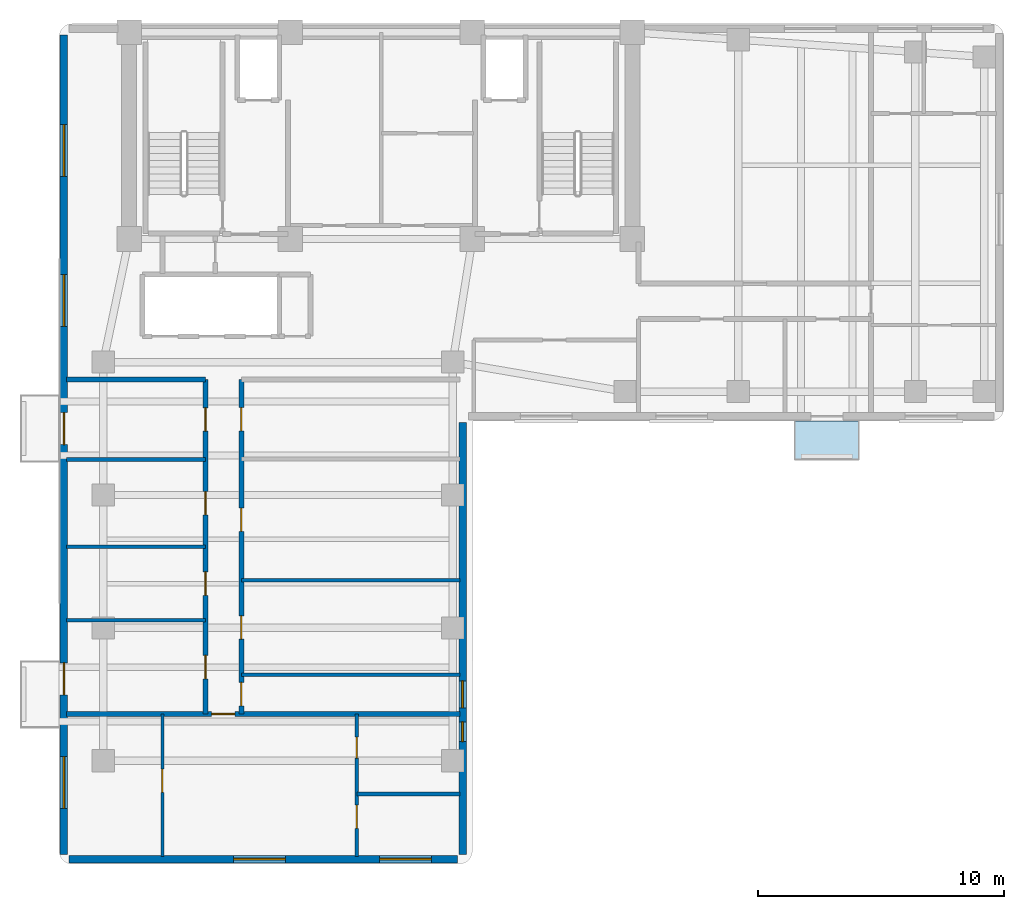
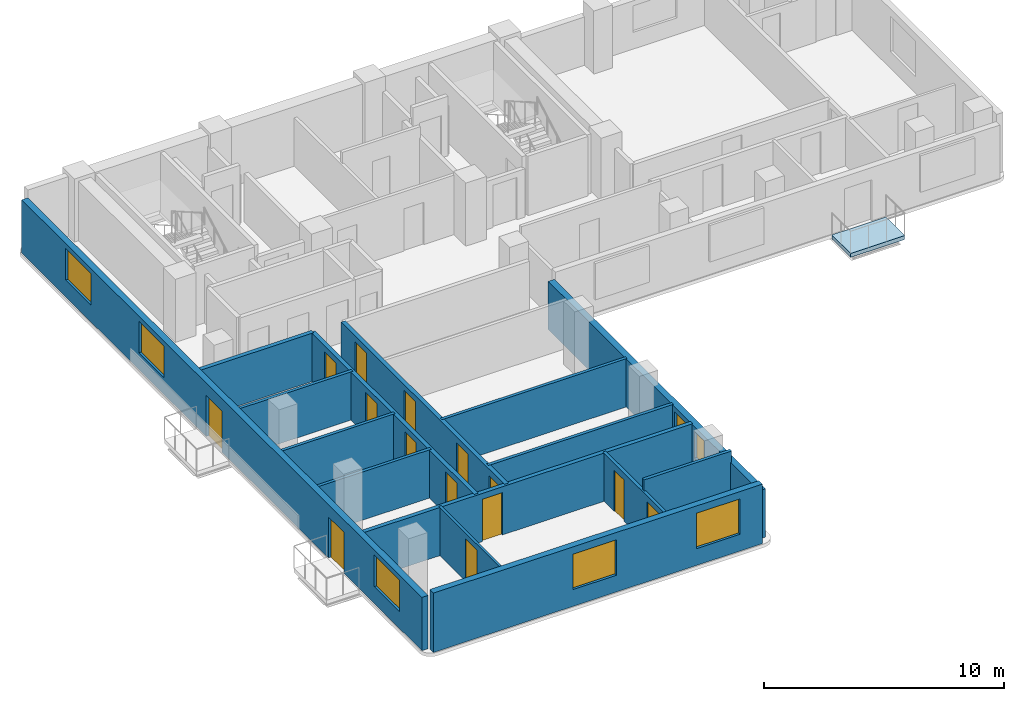
# One storey, part 2 of 6: 15 walls, 14 doors, 7 windows, 1 slab, 21 openings.
"""IFC4 building model written with IfcOpenShell, lengths in metres."""

from ifc_helpers import new_model, si_unit, direction, frame, frame_2d, origin, place, context, subcontext, project, spatial, polyline, rectangle, outline, extrude, material, layer, layer_set, type_object, element, fill, save


model = new_model("IFC4")

# Units and contexts
model_context = context("Model", 3, precision=1e-05, world=origin(), true_north=direction((0.0, 1.0)))
body_context = subcontext(model_context, "Body", "Model", "MODEL_VIEW")
ifc_project = project(units=[si_unit("LENGTHUNIT", "METRE"), si_unit("AREAUNIT", "SQUARE_METRE"), si_unit("VOLUMEUNIT", "CUBIC_METRE"), si_unit("PLANEANGLEUNIT", "RADIAN"), si_unit("MASSUNIT", "GRAM", prefix="KILO")], contexts=[model_context])

# Site, building, storey
site_placement = place(None, origin())
site = spatial("IfcSite", under=ifc_project, at=site_placement, CompositionType="ELEMENT")
building_placement = place(site_placement, origin())
building = spatial("IfcBuilding", under=site, at=building_placement, Name="Kuzgunbayir Cultural Tower", CompositionType="ELEMENT")
storey_placement = place(building_placement, frame((0.0, 0.0, 169.60009765625)))
storey = spatial("IfcBuildingStorey", under=building, at=storey_placement, Name="L49", CompositionType="ELEMENT", Elevation=169.60009765625)

# Slab
ifc_material_1 = material(Name="Concrete C40/50", Category="concrete")
ifc_layer_1 = layer(ifc_material_1, 0.199951171875)
ifc_layer_set_1 = layer_set([ifc_layer_1], Name="Concrete C40/50")
slab_type = type_object("IfcSlabType", Name="SLB-BAL-STONE", PredefinedType="FLOOR", material=ifc_layer_set_1)
slab_placement = place(storey_placement, frame((0.0, 0.0, -0.2001953125)))
element("IfcSlab", 1, at=slab_placement, inside=storey, type_object=slab_type, Name="L49 Projecting Limestone Balcony BAL-L49-WB2", PredefinedType="FLOOR", context=body_context, shape_type="SweptSolid", body=[
    extrude(outline(polyline([(33.5, 24.840087890625), (36.10009765625, 24.840087890625), (36.10009765625, 26.39990234375), (33.5, 26.39990234375), (33.5, 24.840087890625)])), origin(), (0.0, 0.0, 1.0), 0.2001953125),
])

# Wall, openings, windows
ifc_material_2 = material(Name="Anatolian Cream Limestone", Category="masonry")
ifc_layer_2 = layer(ifc_material_2, 0.300048828125)
ifc_layer_set_2 = layer_set([ifc_layer_2], Name="Anatolian Cream Limestone")
wall_type_1 = type_object("IfcWallType", Name="WAL-EXT-STONE-300", PredefinedType="STANDARD", material=ifc_layer_set_2)
wall_1_placement = place(storey_placement, frame((4.0, 8.60009765625, 0.0), z_axis=(0.0, 0.0, 1.0), x_axis=(1.0, 0.0, 0.0)))
wall_1 = element("IfcWall", 2, at=wall_1_placement, inside=storey, type_object=wall_type_1, Name="L49 Wing A South Limestone Wall", PredefinedType="STANDARD", context=body_context, shape_type="SweptSolid", body=[
    extrude(rectangle(XDim=15.800048828125, YDim=0.300048828125, at=frame_2d((7.89990234375, 0.0))), origin(), (0.0, 0.0, 1.0), 3.02001953125),
])
opening_1_placement = place(wall_1_placement, frame((6.699951171875, 0.0, 0.85009765625)))
opening_1 = element("IfcOpeningElement", 3, at=opening_1_placement, cuts=wall_1, Name="Opening WR-21", PredefinedType="OPENING", context=body_context, shape_type="SweptSolid", body=[
    extrude(rectangle(XDim=2.10009765625, YDim=1.800048828125, at=frame_2d((1.050048828125, 0.89990234375))), frame((0.0, 0.16015625, 0.0), z_axis=(0.0, -1.0, 0.0), x_axis=(1.0, 0.0, 0.0)), (0.0, 0.0, 1.0), 0.320068359375),
])
opening_2_placement = place(wall_1_placement, frame((12.6298828125, 0.0, 0.85009765625)))
opening_2 = element("IfcOpeningElement", 4, at=opening_2_placement, cuts=wall_1, Name="Opening WR-21", PredefinedType="OPENING", context=body_context, shape_type="SweptSolid", body=[
    extrude(rectangle(XDim=2.10009765625, YDim=1.800048828125, at=frame_2d((1.050048828125, 0.89990234375))), frame((0.0, 0.16015625, 0.0), z_axis=(0.0, -1.0, 0.0), x_axis=(1.0, 0.0, 0.0)), (0.0, 0.0, 1.0), 0.320068359375),
])
ifc_material_3 = material(Name="Solar-Control Triple Glazing", Category="glass")
window_type_1 = type_object("IfcWindowType", Name="WIN-RESID-21", PartitioningType="SINGLE_PANEL", PredefinedType="WINDOW", material=ifc_material_3)
window_1_placement = place(opening_1_placement, origin())
window_1 = element("IfcWindow", 5, at=window_1_placement, inside=storey, type_object=window_type_1, Name="L49 WAS Facade Window 2", OverallHeight=1.800048828125, OverallWidth=2.10009765625, PartitioningType="SINGLE_PANEL", PredefinedType="WINDOW", context=body_context, shape_type="SweptSolid", body=[
    extrude(rectangle(XDim=2.10009765625, YDim=1.800048828125, at=frame_2d((1.050048828125, 0.89990234375))), frame((0.0, 0.030029296875, 0.0), z_axis=(0.0, -1.0, 0.0), x_axis=(1.0, 0.0, 0.0)), (0.0, 0.0, 1.0), 0.06005859375),
])
fill(opening_1, window_1)
window_2_placement = place(opening_2_placement, origin())
window_2 = element("IfcWindow", 6, at=window_2_placement, inside=storey, type_object=window_type_1, Name="L49 WAS Facade Window 3", OverallHeight=1.800048828125, OverallWidth=2.10009765625, PartitioningType="SINGLE_PANEL", PredefinedType="WINDOW", context=body_context, shape_type="SweptSolid", body=[
    extrude(rectangle(XDim=2.10009765625, YDim=1.800048828125, at=frame_2d((1.050048828125, 0.89990234375))), frame((0.0, 0.030029296875, 0.0), z_axis=(0.0, -1.0, 0.0), x_axis=(1.0, 0.0, 0.0)), (0.0, 0.0, 1.0), 0.06005859375),
])
fill(opening_2, window_2)

# Wall, openings, doors, windows
wall_2_placement = place(storey_placement, frame((3.800048828125, 42.10009765625, 0.0), z_axis=(0.0, 0.0, 1.0), x_axis=(0.0, -1.0, 0.0)))
wall_2 = element("IfcWall", 7, at=wall_2_placement, inside=storey, type_object=wall_type_1, Name="L49 Wing A West Limestone Wall", PredefinedType="STANDARD", context=body_context, shape_type="SweptSolid", body=[
    extrude(rectangle(XDim=33.300048828125, YDim=0.300048828125, at=frame_2d((16.64990234375, 0.0))), origin(), (0.0, 0.0, 1.0), 2.7099609375),
])
opening_3_placement = place(wall_2_placement, frame((25.52001953125, 0.0, 0.0)))
opening_3 = element("IfcOpeningElement", 8, at=opening_3_placement, cuts=wall_2, Name="Opening BD-13", PredefinedType="OPENING", context=body_context, shape_type="SweptSolid", body=[
    extrude(rectangle(XDim=1.300048828125, YDim=2.080078125, at=frame_2d((0.64990234375, 1.0400390625))), frame((0.0, 0.16015625, 0.0), z_axis=(0.0, -1.0, 0.0), x_axis=(1.0, 0.0, 0.0)), (0.0, 0.0, 1.0), 0.320068359375),
])
opening_4_placement = place(wall_2_placement, frame((15.35009765625, 0.0, 0.0)))
opening_4 = element("IfcOpeningElement", 9, at=opening_4_placement, cuts=wall_2, Name="Opening BD-13", PredefinedType="OPENING", context=body_context, shape_type="SweptSolid", body=[
    extrude(rectangle(XDim=1.300048828125, YDim=2.080078125, at=frame_2d((0.64990234375, 1.0400390625))), frame((0.0, 0.16015625, 0.0), z_axis=(0.0, -1.0, 0.0), x_axis=(1.0, 0.0, 0.0)), (0.0, 0.0, 1.0), 0.320068359375),
])
opening_5_placement = place(wall_2_placement, frame((29.330078125, 0.0, 0.85009765625)))
opening_5 = element("IfcOpeningElement", 10, at=opening_5_placement, cuts=wall_2, Name="Opening WR-21", PredefinedType="OPENING", context=body_context, shape_type="SweptSolid", body=[
    extrude(rectangle(XDim=2.10009765625, YDim=1.610107421875, at=frame_2d((1.050048828125, 0.80517578125))), frame((0.0, 0.16015625, 0.0), z_axis=(0.0, -1.0, 0.0), x_axis=(1.0, 0.0, 0.0)), (0.0, 0.0, 1.0), 0.320068359375),
])
opening_6_placement = place(wall_2_placement, frame((9.75, 0.0, 0.85009765625)))
opening_6 = element("IfcOpeningElement", 11, at=opening_6_placement, cuts=wall_2, Name="Opening WR-21", PredefinedType="OPENING", context=body_context, shape_type="SweptSolid", body=[
    extrude(rectangle(XDim=2.10009765625, YDim=1.610107421875, at=frame_2d((1.050048828125, 0.80517578125))), frame((0.0, 0.16015625, 0.0), z_axis=(0.0, -1.0, 0.0), x_axis=(1.0, 0.0, 0.0)), (0.0, 0.0, 1.0), 0.320068359375),
])
opening_7_placement = place(wall_2_placement, frame((3.64990234375, 0.0, 0.85009765625)))
opening_7 = element("IfcOpeningElement", 12, at=opening_7_placement, cuts=wall_2, Name="Opening WR-21", PredefinedType="OPENING", context=body_context, shape_type="SweptSolid", body=[
    extrude(rectangle(XDim=2.10009765625, YDim=1.610107421875, at=frame_2d((1.050048828125, 0.80517578125))), frame((0.0, 0.16015625, 0.0), z_axis=(0.0, -1.0, 0.0), x_axis=(1.0, 0.0, 0.0)), (0.0, 0.0, 1.0), 0.320068359375),
])
ifc_material_4 = material(Name="Thermally Broken Glazed Aluminium", Category="aluminium")
door_type_1 = type_object("IfcDoorType", Name="DR-BALCONY-135", OperationType="SLIDING_TO_LEFT", PredefinedType="DOOR", material=ifc_material_4)
door_1_placement = place(opening_3_placement, origin())
door_1 = element("IfcDoor", 13, at=door_1_placement, inside=storey, type_object=door_type_1, Name="L49 West Balcony Sliding Door BAL-L49-WA1", OperationType="SLIDING_TO_LEFT", OverallHeight=2.080078125, OverallWidth=1.300048828125, PredefinedType="DOOR", context=body_context, shape_type="SweptSolid", body=[
    extrude(rectangle(XDim=1.300048828125, YDim=2.080078125, at=frame_2d((0.64990234375, 1.0400390625))), frame((0.0, 0.02490234375, 0.0), z_axis=(0.0, -1.0, 0.0), x_axis=(1.0, 0.0, 0.0)), (0.0, 0.0, 1.0), 0.050048828125),
])
fill(opening_3, door_1)
door_2_placement = place(opening_4_placement, origin())
door_2 = element("IfcDoor", 14, at=door_2_placement, inside=storey, type_object=door_type_1, Name="L49 West Balcony Sliding Door BAL-L49-WA3", OperationType="SLIDING_TO_LEFT", OverallHeight=2.080078125, OverallWidth=1.300048828125, PredefinedType="DOOR", context=body_context, shape_type="SweptSolid", body=[
    extrude(rectangle(XDim=1.300048828125, YDim=2.080078125, at=frame_2d((0.64990234375, 1.0400390625))), frame((0.0, 0.02490234375, 0.0), z_axis=(0.0, -1.0, 0.0), x_axis=(1.0, 0.0, 0.0)), (0.0, 0.0, 1.0), 0.050048828125),
])
fill(opening_4, door_2)
window_3_placement = place(opening_5_placement, origin())
window_3 = element("IfcWindow", 15, at=window_3_placement, inside=storey, type_object=window_type_1, Name="L49 WAW Facade Window 1", OverallHeight=1.610107421875, OverallWidth=2.10009765625, PartitioningType="SINGLE_PANEL", PredefinedType="WINDOW", context=body_context, shape_type="SweptSolid", body=[
    extrude(rectangle(XDim=2.10009765625, YDim=1.610107421875, at=frame_2d((1.050048828125, 0.80517578125))), frame((0.0, 0.030029296875, 0.0), z_axis=(0.0, -1.0, 0.0), x_axis=(1.0, 0.0, 0.0)), (0.0, 0.0, 1.0), 0.06005859375),
])
fill(opening_5, window_3)
window_4_placement = place(opening_6_placement, origin())
window_4 = element("IfcWindow", 16, at=window_4_placement, inside=storey, type_object=window_type_1, Name="L49 WAW Facade Window 10", OverallHeight=1.610107421875, OverallWidth=2.10009765625, PartitioningType="SINGLE_PANEL", PredefinedType="WINDOW", context=body_context, shape_type="SweptSolid", body=[
    extrude(rectangle(XDim=2.10009765625, YDim=1.610107421875, at=frame_2d((1.050048828125, 0.80517578125))), frame((0.0, 0.030029296875, 0.0), z_axis=(0.0, -1.0, 0.0), x_axis=(1.0, 0.0, 0.0)), (0.0, 0.0, 1.0), 0.06005859375),
])
fill(opening_6, window_4)
window_5_placement = place(opening_7_placement, origin())
window_5 = element("IfcWindow", 17, at=window_5_placement, inside=storey, type_object=window_type_1, Name="L49 WAW Facade Window 11", OverallHeight=1.610107421875, OverallWidth=2.10009765625, PartitioningType="SINGLE_PANEL", PredefinedType="WINDOW", context=body_context, shape_type="SweptSolid", body=[
    extrude(rectangle(XDim=2.10009765625, YDim=1.610107421875, at=frame_2d((1.050048828125, 0.80517578125))), frame((0.0, 0.030029296875, 0.0), z_axis=(0.0, -1.0, 0.0), x_axis=(1.0, 0.0, 0.0)), (0.0, 0.0, 1.0), 0.06005859375),
])
fill(opening_7, window_5)

# Wall, openings, windows
wall_3_placement = place(storey_placement, frame((20.0, 8.800048828125, 0.0), z_axis=(0.0, 0.0, 1.0), x_axis=(0.0, 1.0, 0.0)))
wall_3 = element("IfcWall", 18, at=wall_3_placement, inside=storey, type_object=wall_type_1, Name="L49 Wing A East Limestone Wall", PredefinedType="STANDARD", context=body_context, shape_type="SweptSolid", body=[
    extrude(rectangle(XDim=17.550048828125, YDim=0.300048828125, at=frame_2d((8.77490234375, 0.0))), origin(), (0.0, 0.0, 1.0), 2.449951171875),
])
opening_8_placement = place(wall_3_placement, frame((4.580078125, 0.0, 0.85009765625)))
opening_8 = element("IfcOpeningElement", 19, at=opening_8_placement, cuts=wall_3, Name="Opening WN-08", PredefinedType="OPENING", context=body_context, shape_type="SweptSolid", body=[
    extrude(rectangle(XDim=0.800048828125, YDim=1.35009765625, at=frame_2d((0.39990234375, 0.675048828125))), frame((0.0, 0.16015625, 0.0), z_axis=(0.0, -1.0, 0.0), x_axis=(1.0, 0.0, 0.0)), (0.0, 0.0, 1.0), 0.320068359375),
])
opening_9_placement = place(wall_3_placement, frame((5.949951171875, 0.0, 0.85009765625)))
opening_9 = element("IfcOpeningElement", 20, at=opening_9_placement, cuts=wall_3, Name="Opening WN-11", PredefinedType="OPENING", context=body_context, shape_type="SweptSolid", body=[
    extrude(rectangle(XDim=1.10009765625, YDim=1.35009765625, at=frame_2d((0.550048828125, 0.675048828125))), frame((0.0, 0.16015625, 0.0), z_axis=(0.0, -1.0, 0.0), x_axis=(1.0, 0.0, 0.0)), (0.0, 0.0, 1.0), 0.320068359375),
])
window_type_2 = type_object("IfcWindowType", Name="WIN-NARROW-11", PartitioningType="SINGLE_PANEL", PredefinedType="WINDOW", material=ifc_material_3)
window_6_placement = place(opening_9_placement, origin())
window_6 = element("IfcWindow", 21, at=window_6_placement, inside=storey, type_object=window_type_2, Name="L49 WAE Facade Window 12", OverallHeight=1.35009765625, OverallWidth=1.10009765625, PartitioningType="SINGLE_PANEL", PredefinedType="WINDOW", context=body_context, shape_type="SweptSolid", body=[
    extrude(rectangle(XDim=1.10009765625, YDim=1.35009765625, at=frame_2d((0.550048828125, 0.675048828125))), frame((0.0, 0.030029296875, 0.0), z_axis=(0.0, -1.0, 0.0), x_axis=(1.0, 0.0, 0.0)), (0.0, 0.0, 1.0), 0.06005859375),
])
fill(opening_9, window_6)
window_type_3 = type_object("IfcWindowType", Name="WIN-NARROW-80", PartitioningType="SINGLE_PANEL", PredefinedType="WINDOW", material=ifc_material_3)
window_7_placement = place(opening_8_placement, origin())
window_7 = element("IfcWindow", 22, at=window_7_placement, inside=storey, type_object=window_type_3, Name="L49 WAE Facade Window 4", OverallHeight=1.35009765625, OverallWidth=0.800048828125, PartitioningType="SINGLE_PANEL", PredefinedType="WINDOW", context=body_context, shape_type="SweptSolid", body=[
    extrude(rectangle(XDim=0.800048828125, YDim=1.35009765625, at=frame_2d((0.39990234375, 0.675048828125))), frame((0.0, 0.030029296875, 0.0), z_axis=(0.0, -1.0, 0.0), x_axis=(1.0, 0.0, 0.0)), (0.0, 0.0, 1.0), 0.06005859375),
])
fill(opening_8, window_7)

# Walls
ifc_material_5 = material(Name="Acoustic Double-Stud Drywall", Category="gypsum")
ifc_layer_3 = layer(ifc_material_5, 0.14990234375)
ifc_layer_set_3 = layer_set([ifc_layer_3], Name="Acoustic Double-Stud Drywall")
wall_type_2 = type_object("IfcWallType", Name="WAL-PART-ACOUSTIC-150", PredefinedType="PARTITIONING", material=ifc_layer_set_3)
for number, where, z_axis, x_axis, name in (
    (23, (3.89990234375, 18.31005859375, 0.0), (0.0, 0.0, 1.0), (1.0, 0.0, 0.0), "L49 West Study Partition 1"),
    (24, (3.89990234375, 21.300048828125, 0.0), (0.0, 0.0, 1.0), (1.0, 0.0, 0.0), "L49 West Study Partition 2"),
    (25, (3.89990234375, 24.840087890625, 0.0), (0.0, 0.0, 1.0), (1.0, 0.0, 0.0), "L49 West Study Partition 3"),
):
    element("IfcWall", number, at=place(storey_placement, frame(where, z_axis=z_axis, x_axis=x_axis)), inside=storey, type_object=wall_type_2, Name=name, PredefinedType="PARTITIONING", context=body_context, shape_type="SweptSolid", body=[
        extrude(rectangle(XDim=5.650146484375, YDim=0.14990234375, at=frame_2d((2.8251953125, 0.0))), origin(), (0.0, 0.0, 1.0), 2.449951171875),
    ])
wall_4_placement = place(storey_placement, frame((11.010009765625, 19.93994140625, 0.0), z_axis=(0.0, 0.0, 1.0), x_axis=(1.0, 0.0, 0.0)))
element("IfcWall", 26, at=wall_4_placement, inside=storey, type_object=wall_type_2, Name="L49 East Divider 1", PredefinedType="PARTITIONING", context=body_context, shape_type="SweptSolid", body=[
    extrude(rectangle(XDim=8.889892578125, YDim=0.14990234375, at=frame_2d((4.44482421875, 0.0))), origin(), (0.0, 0.0, 1.0), 2.449951171875),
])

# Wall, openings, doors
ifc_material_6 = material(Name="Aerated Concrete Blockwork", Category="masonry")
ifc_layer_4 = layer(ifc_material_6, 0.199951171875)
ifc_layer_set_4 = layer_set([ifc_layer_4], Name="Aerated Concrete Blockwork")
wall_type_3 = type_object("IfcWallType", Name="WAL-PART-FIRE-200", PredefinedType="PARTITIONING", material=ifc_layer_set_4)
wall_5_placement = place(storey_placement, frame((9.550048828125, 14.5, 0.0), z_axis=(0.0, 0.0, 1.0), x_axis=(0.0, 1.0, 0.0)))
wall_5 = element("IfcWall", 27, at=wall_5_placement, inside=storey, type_object=wall_type_3, Name="L49 Wing A West Corridor Wall", PredefinedType="PARTITIONING", context=body_context, shape_type="SweptSolid", body=[
    extrude(rectangle(XDim=13.60009765625, YDim=0.199951171875, at=frame_2d((6.800048828125, 0.0))), origin(), (0.0, 0.0, 1.0), 2.449951171875),
])
opening_10_placement = place(wall_5_placement, frame((1.429931640625, 0.0, 0.0)))
opening_10 = element("IfcOpeningElement", 28, at=opening_10_placement, cuts=wall_5, Name="Opening DI-90", PredefinedType="OPENING", context=body_context, shape_type="SweptSolid", body=[
    extrude(rectangle(XDim=0.949951171875, YDim=2.14990234375, at=frame_2d((0.47509765625, 1.074951171875))), frame((0.0, 0.10986328125, 0.0), z_axis=(0.0, -1.0, 0.0), x_axis=(1.0, 0.0, 0.0)), (0.0, 0.0, 1.0), 0.219970703125),
])
opening_11_placement = place(wall_5_placement, frame((4.820068359375, 0.0, 0.0)))
opening_11 = element("IfcOpeningElement", 29, at=opening_11_placement, cuts=wall_5, Name="Opening DI-90", PredefinedType="OPENING", context=body_context, shape_type="SweptSolid", body=[
    extrude(rectangle(XDim=0.949951171875, YDim=2.14990234375, at=frame_2d((0.47509765625, 1.074951171875))), frame((0.0, 0.10986328125, 0.0), z_axis=(0.0, -1.0, 0.0), x_axis=(1.0, 0.0, 0.0)), (0.0, 0.0, 1.0), 0.219970703125),
])
opening_12_placement = place(wall_5_placement, frame((8.090087890625, 0.0, 0.0)))
opening_12 = element("IfcOpeningElement", 30, at=opening_12_placement, cuts=wall_5, Name="Opening DI-90", PredefinedType="OPENING", context=body_context, shape_type="SweptSolid", body=[
    extrude(rectangle(XDim=0.949951171875, YDim=2.14990234375, at=frame_2d((0.47509765625, 1.074951171875))), frame((0.0, 0.10986328125, 0.0), z_axis=(0.0, -1.0, 0.0), x_axis=(1.0, 0.0, 0.0)), (0.0, 0.0, 1.0), 0.219970703125),
])
opening_13_placement = place(wall_5_placement, frame((11.489990234375, 0.0, 0.0)))
opening_13 = element("IfcOpeningElement", 31, at=opening_13_placement, cuts=wall_5, Name="Opening DI-90", PredefinedType="OPENING", context=body_context, shape_type="SweptSolid", body=[
    extrude(rectangle(XDim=0.949951171875, YDim=2.14990234375, at=frame_2d((0.47509765625, 1.074951171875))), frame((0.0, 0.10986328125, 0.0), z_axis=(0.0, -1.0, 0.0), x_axis=(1.0, 0.0, 0.0)), (0.0, 0.0, 1.0), 0.219970703125),
])
ifc_material_7 = material(Name="Veneered Oak Single Leaf", Category="wood")
door_type_2 = type_object("IfcDoorType", Name="DR-INT-90", OperationType="NOTDEFINED", PredefinedType="DOOR", material=ifc_material_7)
door_3_placement = place(opening_10_placement, origin())
door_3 = element("IfcDoor", 32, at=door_3_placement, inside=storey, type_object=door_type_2, Name="L49 Seminar Boardroom W1 Door", OperationType="SINGLE_SWING_LEFT", OverallHeight=2.14990234375, OverallWidth=0.949951171875, PredefinedType="DOOR", context=body_context, shape_type="SweptSolid", body=[
    extrude(rectangle(XDim=0.949951171875, YDim=2.14990234375, at=frame_2d((0.47509765625, 1.074951171875))), frame((0.0, 0.02490234375, 0.0), z_axis=(0.0, -1.0, 0.0), x_axis=(1.0, 0.0, 0.0)), (0.0, 0.0, 1.0), 0.050048828125),
])
fill(opening_10, door_3)
door_4_placement = place(opening_11_placement, origin())
door_4 = element("IfcDoor", 33, at=door_4_placement, inside=storey, type_object=door_type_2, Name="L49 Seminar Boardroom W2 Door", OperationType="SINGLE_SWING_RIGHT", OverallHeight=2.14990234375, OverallWidth=0.949951171875, PredefinedType="DOOR", context=body_context, shape_type="SweptSolid", body=[
    extrude(rectangle(XDim=0.949951171875, YDim=2.14990234375, at=frame_2d((0.47509765625, 1.074951171875))), frame((0.0, 0.02490234375, 0.0), z_axis=(0.0, -1.0, 0.0), x_axis=(1.0, 0.0, 0.0)), (0.0, 0.0, 1.0), 0.050048828125),
])
fill(opening_11, door_4)
door_5_placement = place(opening_12_placement, origin())
door_5 = element("IfcDoor", 34, at=door_5_placement, inside=storey, type_object=door_type_2, Name="L49 Seminar Boardroom W3 Door", OperationType="SINGLE_SWING_LEFT", OverallHeight=2.14990234375, OverallWidth=0.949951171875, PredefinedType="DOOR", context=body_context, shape_type="SweptSolid", body=[
    extrude(rectangle(XDim=0.949951171875, YDim=2.14990234375, at=frame_2d((0.47509765625, 1.074951171875))), frame((0.0, 0.02490234375, 0.0), z_axis=(0.0, -1.0, 0.0), x_axis=(1.0, 0.0, 0.0)), (0.0, 0.0, 1.0), 0.050048828125),
])
fill(opening_12, door_5)
door_6_placement = place(opening_13_placement, origin())
door_6 = element("IfcDoor", 35, at=door_6_placement, inside=storey, type_object=door_type_2, Name="L49 Art Publication Salon W4 Door", OperationType="SINGLE_SWING_RIGHT", OverallHeight=2.14990234375, OverallWidth=0.949951171875, PredefinedType="DOOR", context=body_context, shape_type="SweptSolid", body=[
    extrude(rectangle(XDim=0.949951171875, YDim=2.14990234375, at=frame_2d((0.47509765625, 1.074951171875))), frame((0.0, 0.02490234375, 0.0), z_axis=(0.0, -1.0, 0.0), x_axis=(1.0, 0.0, 0.0)), (0.0, 0.0, 1.0), 0.050048828125),
])
fill(opening_13, door_6)

wall_6_placement = place(storey_placement, frame((11.010009765625, 14.5, 0.0), z_axis=(0.0, 0.0, 1.0), x_axis=(0.0, 1.0, 0.0)))
wall_6 = element("IfcWall", 36, at=wall_6_placement, inside=storey, type_object=wall_type_3, Name="L49 Wing A East Corridor Wall", PredefinedType="PARTITIONING", context=body_context, shape_type="SweptSolid", body=[
    extrude(rectangle(XDim=13.60009765625, YDim=0.199951171875, at=frame_2d((6.800048828125, 0.0))), origin(), (0.0, 0.0, 1.0), 2.449951171875),
])
opening_14_placement = place(wall_6_placement, frame((0.330078125, 0.0, 0.0)))
opening_14 = element("IfcOpeningElement", 37, at=opening_14_placement, cuts=wall_6, Name="Opening DW-95", PredefinedType="OPENING", context=body_context, shape_type="SweptSolid", body=[
    extrude(rectangle(XDim=0.949951171875, YDim=2.10009765625, at=frame_2d((0.47509765625, 1.050048828125))), frame((0.0, 0.10986328125, 0.0), z_axis=(0.0, -1.0, 0.0), x_axis=(1.0, 0.0, 0.0)), (0.0, 0.0, 1.0), 0.219970703125),
])
opening_15_placement = place(wall_6_placement, frame((3.0400390625, 0.0, 0.0)))
opening_15 = element("IfcOpeningElement", 38, at=opening_15_placement, cuts=wall_6, Name="Opening DI-90", PredefinedType="OPENING", context=body_context, shape_type="SweptSolid", body=[
    extrude(rectangle(XDim=0.949951171875, YDim=2.14990234375, at=frame_2d((0.47509765625, 1.074951171875))), frame((0.0, 0.10986328125, 0.0), z_axis=(0.0, -1.0, 0.0), x_axis=(1.0, 0.0, 0.0)), (0.0, 0.0, 1.0), 0.219970703125),
])
opening_16_placement = place(wall_6_placement, frame((7.419921875, 0.0, 0.0)))
opening_16 = element("IfcOpeningElement", 39, at=opening_16_placement, cuts=wall_6, Name="Opening DI-90", PredefinedType="OPENING", context=body_context, shape_type="SweptSolid", body=[
    extrude(rectangle(XDim=0.949951171875, YDim=2.14990234375, at=frame_2d((0.47509765625, 1.074951171875))), frame((0.0, 0.10986328125, 0.0), z_axis=(0.0, -1.0, 0.0), x_axis=(1.0, 0.0, 0.0)), (0.0, 0.0, 1.0), 0.219970703125),
])
opening_17_placement = place(wall_6_placement, frame((11.5, 0.0, 0.0)))
opening_17 = element("IfcOpeningElement", 40, at=opening_17_placement, cuts=wall_6, Name="Opening DI-90", PredefinedType="OPENING", context=body_context, shape_type="SweptSolid", body=[
    extrude(rectangle(XDim=0.949951171875, YDim=2.14990234375, at=frame_2d((0.47509765625, 1.074951171875))), frame((0.0, 0.10986328125, 0.0), z_axis=(0.0, -1.0, 0.0), x_axis=(1.0, 0.0, 0.0)), (0.0, 0.0, 1.0), 0.219970703125),
])
door_7_placement = place(opening_15_placement, origin())
door_7 = element("IfcDoor", 41, at=door_7_placement, inside=storey, type_object=door_type_2, Name="L49 East Seminar Boardroom E1 Door", OperationType="SINGLE_SWING_RIGHT", OverallHeight=2.14990234375, OverallWidth=0.949951171875, PredefinedType="DOOR", context=body_context, shape_type="SweptSolid", body=[
    extrude(rectangle(XDim=0.949951171875, YDim=2.14990234375, at=frame_2d((0.47509765625, 1.074951171875))), frame((0.0, 0.02490234375, 0.0), z_axis=(0.0, -1.0, 0.0), x_axis=(1.0, 0.0, 0.0)), (0.0, 0.0, 1.0), 0.050048828125),
])
fill(opening_15, door_7)
door_8_placement = place(opening_16_placement, origin())
door_8 = element("IfcDoor", 42, at=door_8_placement, inside=storey, type_object=door_type_2, Name="L49 East Curatorial Office E2 Door", OperationType="SINGLE_SWING_LEFT", OverallHeight=2.14990234375, OverallWidth=0.949951171875, PredefinedType="DOOR", context=body_context, shape_type="SweptSolid", body=[
    extrude(rectangle(XDim=0.949951171875, YDim=2.14990234375, at=frame_2d((0.47509765625, 1.074951171875))), frame((0.0, 0.02490234375, 0.0), z_axis=(0.0, -1.0, 0.0), x_axis=(1.0, 0.0, 0.0)), (0.0, 0.0, 1.0), 0.050048828125),
])
fill(opening_16, door_8)
door_9_placement = place(opening_17_placement, origin())
door_9 = element("IfcDoor", 43, at=door_9_placement, inside=storey, type_object=door_type_2, Name="L49 East Seminar Boardroom E3 Door", OperationType="SINGLE_SWING_RIGHT", OverallHeight=2.14990234375, OverallWidth=0.949951171875, PredefinedType="DOOR", context=body_context, shape_type="SweptSolid", body=[
    extrude(rectangle(XDim=0.949951171875, YDim=2.14990234375, at=frame_2d((0.47509765625, 1.074951171875))), frame((0.0, 0.02490234375, 0.0), z_axis=(0.0, -1.0, 0.0), x_axis=(1.0, 0.0, 0.0)), (0.0, 0.0, 1.0), 0.050048828125),
])
fill(opening_17, door_9)
ifc_material_8 = material(Name="Laminate Moisture-Resistant Leaf", Category="wood")
door_type_3 = type_object("IfcDoorType", Name="DR-WET-95", OperationType="NOTDEFINED", PredefinedType="DOOR", material=ifc_material_8)
door_10_placement = place(opening_14_placement, origin())
door_10 = element("IfcDoor", 44, at=door_10_placement, inside=storey, type_object=door_type_3, Name="L49 Visitor Accessible WC Door", OperationType="SINGLE_SWING_LEFT", OverallHeight=2.10009765625, OverallWidth=0.949951171875, PredefinedType="DOOR", context=body_context, shape_type="SweptSolid", body=[
    extrude(rectangle(XDim=0.949951171875, YDim=2.10009765625, at=frame_2d((0.47509765625, 1.050048828125))), frame((0.0, 0.02490234375, 0.0), z_axis=(0.0, -1.0, 0.0), x_axis=(1.0, 0.0, 0.0)), (0.0, 0.0, 1.0), 0.050048828125),
])
fill(opening_14, door_10)

# Wall, opening, door
wall_7_placement = place(storey_placement, frame((3.89990234375, 14.5, 0.0), z_axis=(0.0, 0.0, 1.0), x_axis=(1.0, 0.0, 0.0)))
wall_7 = element("IfcWall", 45, at=wall_7_placement, inside=storey, type_object=wall_type_3, Name="L49 South Cross Partition", PredefinedType="PARTITIONING", context=body_context, shape_type="SweptSolid", body=[
    extrude(rectangle(XDim=16.0, YDim=0.199951171875, at=frame_2d((8.0, 0.0))), origin(), (0.0, 0.0, 1.0), 2.449951171875),
])
opening_18_placement = place(wall_7_placement, frame((5.89990234375, 0.0, 0.0)))
opening_18 = element("IfcOpeningElement", 46, at=opening_18_placement, cuts=wall_7, Name="Opening DR-APT-60", PredefinedType="OPENING", context=body_context, shape_type="SweptSolid", body=[
    extrude(rectangle(XDim=0.949951171875, YDim=2.14990234375, at=frame_2d((0.47509765625, 1.074951171875))), frame((0.0, 0.10986328125, 0.0), z_axis=(0.0, -1.0, 0.0), x_axis=(1.0, 0.0, 0.0)), (0.0, 0.0, 1.0), 0.219970703125),
])
ifc_material_9 = material(Name="Acoustic Fire Timber Leaf", Category="wood")
door_type_4 = type_object("IfcDoorType", Name="DR-APT-60", OperationType="NOTDEFINED", PredefinedType="DOOR", material=ifc_material_9)
door_11_placement = place(opening_18_placement, origin())
door_11 = element("IfcDoor", 47, at=door_11_placement, inside=storey, type_object=door_type_4, Name="L49 Apartment A Entrance", OperationType="SINGLE_SWING_LEFT", OverallHeight=2.14990234375, OverallWidth=0.949951171875, PredefinedType="DOOR", context=body_context, shape_type="SweptSolid", body=[
    extrude(rectangle(XDim=0.949951171875, YDim=2.14990234375, at=frame_2d((0.47509765625, 1.074951171875))), frame((0.0, 0.02490234375, 0.0), z_axis=(0.0, -1.0, 0.0), x_axis=(1.0, 0.0, 0.0)), (0.0, 0.0, 1.0), 0.050048828125),
])
fill(opening_18, door_11)

# Wall
wall_8_placement = place(storey_placement, frame((3.89990234375, 28.10009765625, 0.0), z_axis=(0.0, 0.0, 1.0), x_axis=(1.0, 0.0, 0.0)))
element("IfcWall", 48, at=wall_8_placement, inside=storey, type_object=wall_type_3, Name="L49 North West Partition", PredefinedType="PARTITIONING", context=body_context, shape_type="SweptSolid", body=[
    extrude(rectangle(XDim=5.650146484375, YDim=0.199951171875, at=frame_2d((2.8251953125, 0.0))), origin(), (0.0, 0.0, 1.0), 2.449951171875),
])

# Wall, opening, door
ifc_material_10 = material(Name="Framed Gypsum Partition", Category="gypsum")
ifc_layer_5 = layer(ifc_material_10, 0.1201171875)
ifc_layer_set_5 = layer_set([ifc_layer_5], Name="Framed Gypsum Partition")
wall_type_4 = type_object("IfcWallType", Name="WAL-PART-INT-120", PredefinedType="PARTITIONING", material=ifc_layer_set_5)
wall_9_placement = place(storey_placement, frame((7.800048828125, 8.699951171875, 0.0), z_axis=(0.0, 0.0, 1.0), x_axis=(0.0, 1.0, 0.0)))
wall_9 = element("IfcWall", 49, at=wall_9_placement, inside=storey, type_object=wall_type_4, Name="L49 Flat A West Bedroom Wall", PredefinedType="PARTITIONING", context=body_context, shape_type="SweptSolid", body=[
    extrude(rectangle(XDim=5.800048828125, YDim=0.1201171875, at=frame_2d((2.89990234375, 0.0))), origin(), (0.0, 0.0, 1.0), 2.449951171875),
])
opening_19_placement = place(wall_9_placement, frame((2.610107421875, 0.0, 0.0)))
opening_19 = element("IfcOpeningElement", 50, at=opening_19_placement, cuts=wall_9, Name="Opening DI-90", PredefinedType="OPENING", context=body_context, shape_type="SweptSolid", body=[
    extrude(rectangle(XDim=0.949951171875, YDim=2.14990234375, at=frame_2d((0.47509765625, 1.074951171875))), frame((0.0, 0.070068359375, 0.0), z_axis=(0.0, -1.0, 0.0), x_axis=(1.0, 0.0, 0.0)), (0.0, 0.0, 1.0), 0.14013671875),
])
door_12_placement = place(opening_19_placement, origin())
door_12 = element("IfcDoor", 51, at=door_12_placement, inside=storey, type_object=door_type_2, Name="L49 Apartment A Bedroom Door", OperationType="SINGLE_SWING_RIGHT", OverallHeight=2.14990234375, OverallWidth=0.949951171875, PredefinedType="DOOR", context=body_context, shape_type="SweptSolid", body=[
    extrude(rectangle(XDim=0.949951171875, YDim=2.14990234375, at=frame_2d((0.47509765625, 1.074951171875))), frame((0.0, 0.02490234375, 0.0), z_axis=(0.0, -1.0, 0.0), x_axis=(1.0, 0.0, 0.0)), (0.0, 0.0, 1.0), 0.050048828125),
])
fill(opening_19, door_12)

# Wall, openings, doors
ifc_material_11 = material(Name="Moisture-Resistant Tile Partition", Category="gypsum")
ifc_layer_6 = layer(ifc_material_11, 0.14990234375)
ifc_layer_set_6 = layer_set([ifc_layer_6], Name="Moisture-Resistant Tile Partition")
wall_type_5 = type_object("IfcWallType", Name="WAL-PART-WET-150", PredefinedType="PARTITIONING", material=ifc_layer_set_6)
wall_10_placement = place(storey_placement, frame((15.699951171875, 8.699951171875, 0.0), z_axis=(0.0, 0.0, 1.0), x_axis=(0.0, 1.0, 0.0)))
wall_10 = element("IfcWall", 52, at=wall_10_placement, inside=storey, type_object=wall_type_5, Name="L49 Flat A East Service Wall", PredefinedType="PARTITIONING", context=body_context, shape_type="SweptSolid", body=[
    extrude(rectangle(XDim=5.800048828125, YDim=0.14990234375, at=frame_2d((2.89990234375, 0.0))), origin(), (0.0, 0.0, 1.0), 2.449951171875),
])
opening_20_placement = place(wall_10_placement, frame((1.14990234375, 0.0, 0.0)))
opening_20 = element("IfcOpeningElement", 53, at=opening_20_placement, cuts=wall_10, Name="Opening DI-90", PredefinedType="OPENING", context=body_context, shape_type="SweptSolid", body=[
    extrude(rectangle(XDim=0.949951171875, YDim=2.14990234375, at=frame_2d((0.47509765625, 1.074951171875))), frame((0.0, 0.0849609375, 0.0), z_axis=(0.0, -1.0, 0.0), x_axis=(1.0, 0.0, 0.0)), (0.0, 0.0, 1.0), 0.169921875),
])
opening_21_placement = place(wall_10_placement, frame((4.010009765625, 0.0, 0.0)))
opening_21 = element("IfcOpeningElement", 54, at=opening_21_placement, cuts=wall_10, Name="Opening DW-85", PredefinedType="OPENING", context=body_context, shape_type="SweptSolid", body=[
    extrude(rectangle(XDim=0.85009765625, YDim=2.10009765625, at=frame_2d((0.425048828125, 1.050048828125))), frame((0.0, 0.0849609375, 0.0), z_axis=(0.0, -1.0, 0.0), x_axis=(1.0, 0.0, 0.0)), (0.0, 0.0, 1.0), 0.169921875),
])
door_13_placement = place(opening_20_placement, origin())
door_13 = element("IfcDoor", 55, at=door_13_placement, inside=storey, type_object=door_type_2, Name="L49 Apartment A Kitchen Door", OperationType="SINGLE_SWING_LEFT", OverallHeight=2.14990234375, OverallWidth=0.949951171875, PredefinedType="DOOR", context=body_context, shape_type="SweptSolid", body=[
    extrude(rectangle(XDim=0.949951171875, YDim=2.14990234375, at=frame_2d((0.47509765625, 1.074951171875))), frame((0.0, 0.02490234375, 0.0), z_axis=(0.0, -1.0, 0.0), x_axis=(1.0, 0.0, 0.0)), (0.0, 0.0, 1.0), 0.050048828125),
])
fill(opening_20, door_13)
door_type_5 = type_object("IfcDoorType", Name="DR-WET-85", OperationType="NOTDEFINED", PredefinedType="DOOR", material=ifc_material_8)
door_14_placement = place(opening_21_placement, origin())
door_14 = element("IfcDoor", 56, at=door_14_placement, inside=storey, type_object=door_type_5, Name="L49 Apartment A Bathroom Door", OperationType="SINGLE_SWING_RIGHT", OverallHeight=2.10009765625, OverallWidth=0.85009765625, PredefinedType="DOOR", context=body_context, shape_type="SweptSolid", body=[
    extrude(rectangle(XDim=0.85009765625, YDim=2.10009765625, at=frame_2d((0.425048828125, 1.050048828125))), frame((0.0, 0.02490234375, 0.0), z_axis=(0.0, -1.0, 0.0), x_axis=(1.0, 0.0, 0.0)), (0.0, 0.0, 1.0), 0.050048828125),
])
fill(opening_21, door_14)

# Walls
wall_11_placement = place(storey_placement, frame((15.699951171875, 11.25, 0.0), z_axis=(0.0, 0.0, 1.0), x_axis=(1.0, 0.0, 0.0)))
element("IfcWall", 57, at=wall_11_placement, inside=storey, type_object=wall_type_5, Name="L49 Flat A Bath Kitchen Divider", PredefinedType="PARTITIONING", context=body_context, shape_type="SweptSolid", body=[
    extrude(rectangle(XDim=4.199951171875, YDim=0.14990234375, at=frame_2d((2.10009765625, 0.0))), origin(), (0.0, 0.0, 1.0), 3.02001953125),
])
wall_12_placement = place(storey_placement, frame((11.010009765625, 16.10009765625, 0.0), z_axis=(0.0, 0.0, 1.0), x_axis=(1.0, 0.0, 0.0)))
element("IfcWall", 58, at=wall_12_placement, inside=storey, type_object=wall_type_5, Name="L49 East Accessible WC Wall", PredefinedType="PARTITIONING", context=body_context, shape_type="SweptSolid", body=[
    extrude(rectangle(XDim=8.889892578125, YDim=0.14990234375, at=frame_2d((4.44482421875, 0.0))), origin(), (0.0, 0.0, 1.0), 2.449951171875),
])

save(model, "model.ifc")
